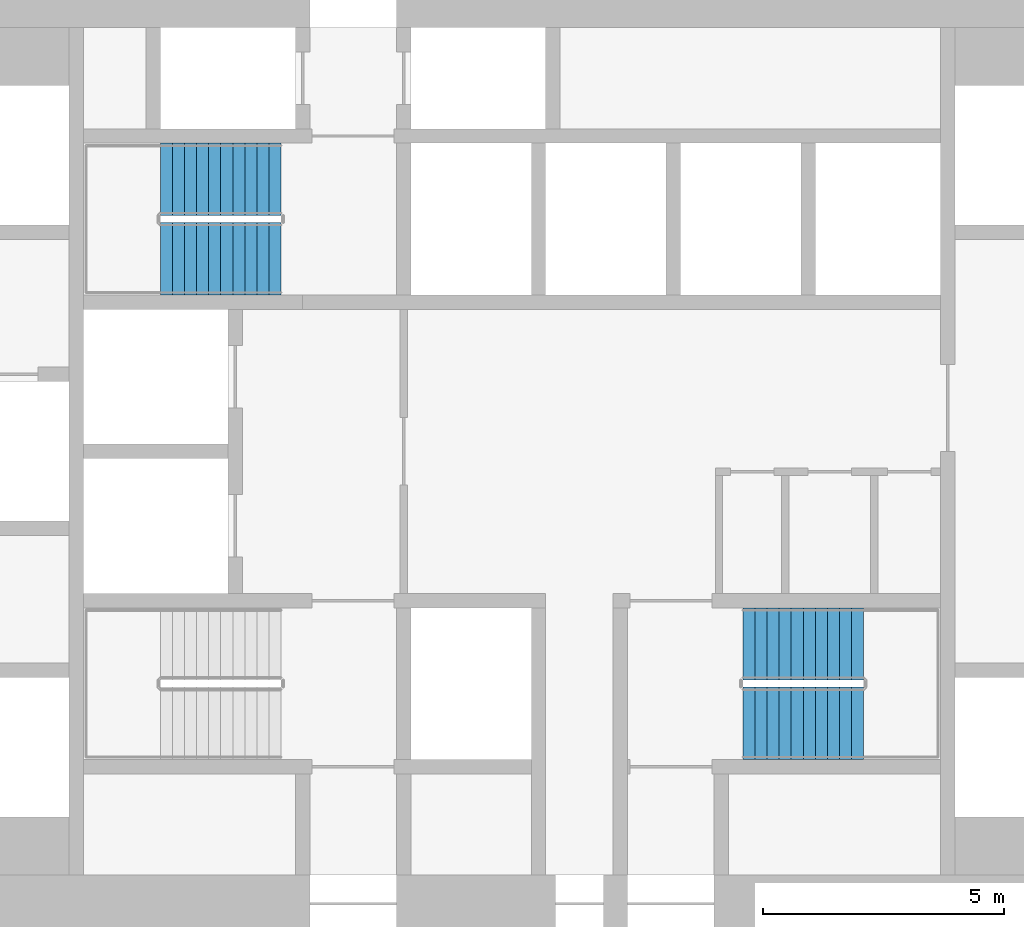
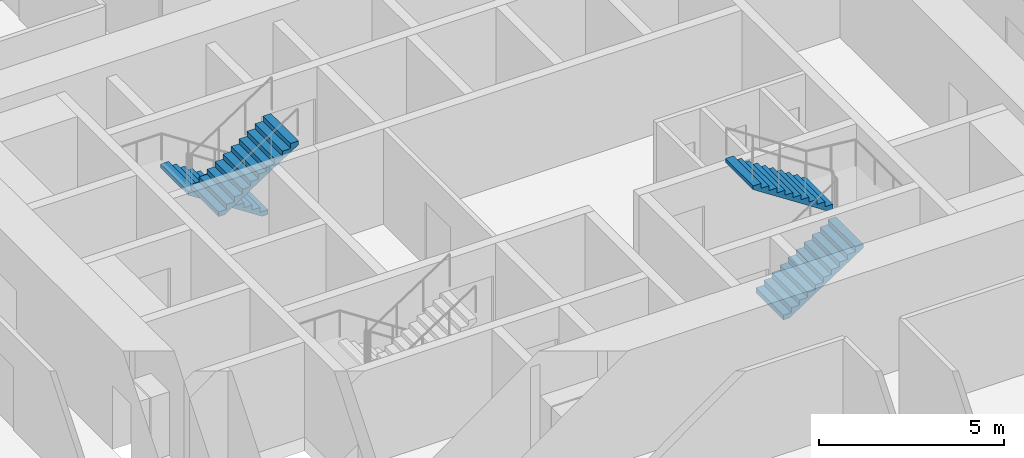
# One storey, part 11 of 12: 4 stair flights, 2 elements without a shape of their own.
"""IFC4 building model written with IfcOpenShell, lengths in metres."""

from ifc_helpers import new_model, si_unit, direction, frame, origin, place, context, subcontext, project, spatial, polyline, outline, extrude, material, type_object, element, aggregate, save


model = new_model("IFC4")

# Units and contexts
model_context = context("Model", 3, precision=1e-05, world=origin(), true_north=direction((0.0, 1.0)))
body_context = subcontext(model_context, "Body", "Model", "MODEL_VIEW")
ifc_project = project(units=[si_unit("LENGTHUNIT", "METRE"), si_unit("AREAUNIT", "SQUARE_METRE"), si_unit("VOLUMEUNIT", "CUBIC_METRE"), si_unit("PLANEANGLEUNIT", "RADIAN"), si_unit("MASSUNIT", "GRAM", prefix="KILO")], contexts=[model_context])

# Site, building, storey
site_placement = place(None, origin())
site = spatial("IfcSite", under=ifc_project, at=site_placement, CompositionType="ELEMENT")
building_placement = place(site_placement, origin())
building = spatial("IfcBuilding", under=site, at=building_placement, Name="Tracery Tower", CompositionType="ELEMENT")
storey_placement = place(building_placement, frame((0.0, 0.0, 85.800048828125)))
storey = spatial("IfcBuildingStorey", under=building, at=storey_placement, Name="L21", CompositionType="ELEMENT", Elevation=85.800048828125)

# Stair, stair flights
ifc_material_1 = material(Name="Concrete C32/40", Category="concrete")
stair_type = type_object("IfcStairType", Name="Core stair 22 risers", PredefinedType="HALF_TURN_STAIR", material=ifc_material_1)
stair_1_placement = place(storey_placement, origin())
stair_1 = element("IfcStair", 1, at=stair_1_placement, inside=storey, type_object=stair_type, Name="L21 stair ST3", PredefinedType="HALF_TURN_STAIR")
ifc_material_2 = material(Name="Concrete C32/40", Category="concrete")
stair_flight_type = type_object("IfcStairFlightType", Name="Core stair flight 11 risers", PredefinedType="STRAIGHT", material=ifc_material_2)
stair_flight_1_placement = place(storey_placement, frame((-4.800048828125, 5.64990234375, 0.0), z_axis=(0.0, 0.0, 1.0), x_axis=(-1.0, 0.0, 0.0)))
stair_flight_1 = element("IfcStairFlight", 2, at=stair_flight_1_placement, type_object=stair_flight_type, Name="ST3 flight 1", NumberOfRisers=11, NumberOfTreads=10, PredefinedType="STRAIGHT", RiserHeight=0.163636364, TreadLength=0.25, context=body_context, shape_type="SweptSolid", body=[
    extrude(outline(polyline([(0.0, 0.0), (0.0, 0.002685546875), (0.0, 0.00537109375), (0.0, 0.008056640625), (0.0, 0.0107421875), (0.0, 0.013427734375), (0.0, 0.01611328125), (0.0, 0.018798828125), (0.0, 0.021484375), (0.0, 0.024169921875), (0.0, 0.02685546875), (0.0, 0.029541015625), (0.0, 0.0322265625), (0.0, 0.034912109375), (0.0, 0.03759765625), (0.0, 0.040283203125), (0.0, 0.04296875), (0.0, 0.045654296875), (0.0, 0.04833984375), (0.0, 0.051025390625), (0.0, 0.0537109375), (0.0, 0.056396484375), (0.0, 0.05908203125), (0.0, 0.061767578125), (0.0, 0.064453125), (0.0, 0.067138671875), (0.0, 0.06982421875), (0.0, 0.072509765625), (0.0, 0.0751953125), (0.0, 0.077880859375), (0.0, 0.08056640625), (0.0, 0.083251953125), (0.0, 0.0859375), (0.0, 0.088623046875), (0.0, 0.09130859375), (0.0, 0.093994140625), (0.0, 0.0966796875), (0.0, 0.099365234375), (0.0, 0.10205078125), (0.0, 0.104736328125), (0.0, 0.107421875), (0.0, 0.10986328125), (0.0, 0.112548828125), (0.0, 0.115234375), (0.0, 0.117919921875), (0.0, 0.12060546875), (0.0, 0.123291015625), (0.0, 0.1259765625), (0.0, 0.128662109375), (0.0, 0.13134765625), (0.0, 0.134033203125), (0.0, 0.13671875), (0.0, 0.139404296875), (0.0, 0.14208984375), (0.0, 0.144775390625), (0.0, 0.1474609375), (0.0, 0.150146484375), (0.0, 0.15283203125), (0.0, 0.155517578125), (0.0, 0.158203125), (0.0, 0.160888671875), (0.0, 0.16357421875), (0.25, 0.16357421875), (0.25, 0.327392578125), (0.5, 0.327392578125), (0.5, 0.490966796875), (0.75, 0.490966796875), (0.75, 0.654541015625), (1.0, 0.654541015625), (1.0, 0.818115234375), (1.25, 0.818115234375), (1.25, 0.98193359375), (1.5, 0.98193359375), (1.5, 1.1455078125), (1.75, 1.1455078125), (1.75, 1.30908203125), (2.0, 1.30908203125), (2.0, 1.47265625), (2.25, 1.47265625), (2.25, 1.636474609375), (2.5, 1.636474609375), (2.5, 1.634521484375), (2.5, 1.63232421875), (2.5, 1.63037109375), (2.5, 1.62841796875), (2.5, 1.62646484375), (2.5, 1.62451171875), (2.5, 1.62255859375), (2.5, 1.62060546875), (2.5, 1.61865234375), (2.5, 1.61669921875), (2.5, 1.61474609375), (2.5, 1.61279296875), (2.5, 1.61083984375), (2.5, 1.60888671875), (2.5, 1.60693359375), (2.5, 1.60498046875), (2.5, 1.60302734375), (2.5, 1.60107421875), (2.5, 1.59912109375), (2.5, 1.59716796875), (2.5, 1.59521484375), (2.5, 1.59326171875), (2.5, 1.59130859375), (2.5, 1.58935546875), (2.5, 1.58740234375), (2.5, 1.58544921875), (2.5, 1.58349609375), (2.5, 1.58154296875), (2.5, 1.57958984375), (2.5, 1.57763671875), (2.5, 1.57568359375), (2.5, 1.573486328125), (2.5, 1.571533203125), (2.5, 1.569580078125), (2.5, 1.567626953125), (2.5, 1.565673828125), (2.5, 1.563720703125), (2.5, 1.561767578125), (2.5, 1.559814453125), (2.5, 1.557861328125), (2.5, 1.555908203125), (2.5, 1.553955078125), (2.5, 1.552001953125), (2.5, 1.550048828125), (2.5, 1.548095703125), (2.5, 1.546142578125), (2.5, 1.544189453125), (2.5, 1.542236328125), (2.5, 1.540283203125), (2.5, 1.538330078125), (2.5, 1.536376953125), (2.5, 1.534423828125), (2.5, 1.532470703125), (2.5, 1.530517578125), (2.5, 1.528564453125), (2.5, 1.526611328125), (2.5, 1.524658203125), (2.5, 1.522705078125), (2.5, 1.520751953125), (2.5, 1.518798828125), (2.5, 1.516845703125), (0.182861328125, 0.0), (0.0, 0.0)])), frame((0.0, 0.75, 0.0), z_axis=(0.0, -1.0, 0.0), x_axis=(1.0, 0.0, 0.0)), (0.0, 0.0, 1.0), 1.5),
])
stair_flight_2_placement = place(storey_placement, frame((-7.300048828125, 4.0, 1.800048828125), z_axis=(0.0, 0.0, 1.0), x_axis=(1.0, 0.0, 0.0)))
stair_flight_2 = element("IfcStairFlight", 3, at=stair_flight_2_placement, type_object=stair_flight_type, Name="ST3 flight 2", NumberOfRisers=11, NumberOfTreads=10, PredefinedType="STRAIGHT", RiserHeight=0.163636364, TreadLength=0.25, context=body_context, shape_type="SweptSolid", body=[
    extrude(outline(polyline([(0.0, 0.0), (0.0, 0.002685546875), (0.0, 0.00537109375), (0.0, 0.008056640625), (0.0, 0.0107421875), (0.0, 0.013427734375), (0.0, 0.01611328125), (0.0, 0.018798828125), (0.0, 0.021484375), (0.0, 0.024169921875), (0.0, 0.02685546875), (0.0, 0.029541015625), (0.0, 0.0322265625), (0.0, 0.034912109375), (0.0, 0.03759765625), (0.0, 0.040283203125), (0.0, 0.04296875), (0.0, 0.045654296875), (0.0, 0.04833984375), (0.0, 0.051025390625), (0.0, 0.0537109375), (0.0, 0.056396484375), (0.0, 0.05908203125), (0.0, 0.061767578125), (0.0, 0.064453125), (0.0, 0.067138671875), (0.0, 0.06982421875), (0.0, 0.072509765625), (0.0, 0.0751953125), (0.0, 0.077880859375), (0.0, 0.08056640625), (0.0, 0.083251953125), (0.0, 0.0859375), (0.0, 0.088623046875), (0.0, 0.09130859375), (0.0, 0.093994140625), (0.0, 0.0966796875), (0.0, 0.099365234375), (0.0, 0.10205078125), (0.0, 0.104736328125), (0.0, 0.107421875), (0.0, 0.10986328125), (0.0, 0.112548828125), (0.0, 0.115234375), (0.0, 0.117919921875), (0.0, 0.12060546875), (0.0, 0.123291015625), (0.0, 0.1259765625), (0.0, 0.128662109375), (0.0, 0.13134765625), (0.0, 0.134033203125), (0.0, 0.13671875), (0.0, 0.139404296875), (0.0, 0.14208984375), (0.0, 0.144775390625), (0.0, 0.1474609375), (0.0, 0.150146484375), (0.0, 0.15283203125), (0.0, 0.155517578125), (0.0, 0.158203125), (0.0, 0.160888671875), (0.0, 0.16357421875), (0.25, 0.16357421875), (0.25, 0.327392578125), (0.5, 0.327392578125), (0.5, 0.490966796875), (0.75, 0.490966796875), (0.75, 0.654541015625), (1.0, 0.654541015625), (1.0, 0.818115234375), (1.25, 0.818115234375), (1.25, 0.98193359375), (1.5, 0.98193359375), (1.5, 1.1455078125), (1.75, 1.1455078125), (1.75, 1.30908203125), (2.0, 1.30908203125), (2.0, 1.47265625), (2.25, 1.47265625), (2.25, 1.636474609375), (2.5, 1.636474609375), (2.5, 1.634521484375), (2.5, 1.63232421875), (2.5, 1.63037109375), (2.5, 1.62841796875), (2.5, 1.62646484375), (2.5, 1.62451171875), (2.5, 1.62255859375), (2.5, 1.62060546875), (2.5, 1.61865234375), (2.5, 1.61669921875), (2.5, 1.61474609375), (2.5, 1.61279296875), (2.5, 1.61083984375), (2.5, 1.60888671875), (2.5, 1.60693359375), (2.5, 1.60498046875), (2.5, 1.60302734375), (2.5, 1.60107421875), (2.5, 1.59912109375), (2.5, 1.59716796875), (2.5, 1.59521484375), (2.5, 1.59326171875), (2.5, 1.59130859375), (2.5, 1.58935546875), (2.5, 1.58740234375), (2.5, 1.58544921875), (2.5, 1.58349609375), (2.5, 1.58154296875), (2.5, 1.57958984375), (2.5, 1.57763671875), (2.5, 1.57568359375), (2.5, 1.573486328125), (2.5, 1.571533203125), (2.5, 1.569580078125), (2.5, 1.567626953125), (2.5, 1.565673828125), (2.5, 1.563720703125), (2.5, 1.561767578125), (2.5, 1.559814453125), (2.5, 1.557861328125), (2.5, 1.555908203125), (2.5, 1.553955078125), (2.5, 1.552001953125), (2.5, 1.550048828125), (2.5, 1.548095703125), (2.5, 1.546142578125), (2.5, 1.544189453125), (2.5, 1.542236328125), (2.5, 1.540283203125), (2.5, 1.538330078125), (2.5, 1.536376953125), (2.5, 1.534423828125), (2.5, 1.532470703125), (2.5, 1.530517578125), (2.5, 1.528564453125), (2.5, 1.526611328125), (2.5, 1.524658203125), (2.5, 1.522705078125), (2.5, 1.520751953125), (2.5, 1.518798828125), (2.5, 1.516845703125), (0.182861328125, 0.0), (0.0, 0.0)])), frame((0.0, 0.75, 0.0), z_axis=(0.0, -1.0, 0.0), x_axis=(1.0, 0.0, 0.0)), (0.0, 0.0, 1.0), 1.5),
])
aggregate(stair_1, [stair_flight_1, stair_flight_2])

stair_2_placement = place(storey_placement, origin())
stair_2 = element("IfcStair", 4, at=stair_2_placement, inside=storey, type_object=stair_type, Name="L21 stair ST2", PredefinedType="HALF_TURN_STAIR")
stair_flight_3_placement = place(storey_placement, frame((4.800048828125, -5.64990234375, 0.0), z_axis=(0.0, 0.0, 1.0), x_axis=(1.0, 0.0, 0.0)))
stair_flight_3 = element("IfcStairFlight", 5, at=stair_flight_3_placement, type_object=stair_flight_type, Name="ST2 flight 1", NumberOfRisers=11, NumberOfTreads=10, PredefinedType="STRAIGHT", RiserHeight=0.163636364, TreadLength=0.25, context=body_context, shape_type="SweptSolid", body=[
    extrude(outline(polyline([(0.0, 0.0), (0.0, 0.002685546875), (0.0, 0.00537109375), (0.0, 0.008056640625), (0.0, 0.0107421875), (0.0, 0.013427734375), (0.0, 0.01611328125), (0.0, 0.018798828125), (0.0, 0.021484375), (0.0, 0.024169921875), (0.0, 0.02685546875), (0.0, 0.029541015625), (0.0, 0.0322265625), (0.0, 0.034912109375), (0.0, 0.03759765625), (0.0, 0.040283203125), (0.0, 0.04296875), (0.0, 0.045654296875), (0.0, 0.04833984375), (0.0, 0.051025390625), (0.0, 0.0537109375), (0.0, 0.056396484375), (0.0, 0.05908203125), (0.0, 0.061767578125), (0.0, 0.064453125), (0.0, 0.067138671875), (0.0, 0.06982421875), (0.0, 0.072509765625), (0.0, 0.0751953125), (0.0, 0.077880859375), (0.0, 0.08056640625), (0.0, 0.083251953125), (0.0, 0.0859375), (0.0, 0.088623046875), (0.0, 0.09130859375), (0.0, 0.093994140625), (0.0, 0.0966796875), (0.0, 0.099365234375), (0.0, 0.10205078125), (0.0, 0.104736328125), (0.0, 0.107421875), (0.0, 0.10986328125), (0.0, 0.112548828125), (0.0, 0.115234375), (0.0, 0.117919921875), (0.0, 0.12060546875), (0.0, 0.123291015625), (0.0, 0.1259765625), (0.0, 0.128662109375), (0.0, 0.13134765625), (0.0, 0.134033203125), (0.0, 0.13671875), (0.0, 0.139404296875), (0.0, 0.14208984375), (0.0, 0.144775390625), (0.0, 0.1474609375), (0.0, 0.150146484375), (0.0, 0.15283203125), (0.0, 0.155517578125), (0.0, 0.158203125), (0.0, 0.160888671875), (0.0, 0.16357421875), (0.25, 0.16357421875), (0.25, 0.327392578125), (0.5, 0.327392578125), (0.5, 0.490966796875), (0.75, 0.490966796875), (0.75, 0.654541015625), (1.0, 0.654541015625), (1.0, 0.818115234375), (1.25, 0.818115234375), (1.25, 0.98193359375), (1.5, 0.98193359375), (1.5, 1.1455078125), (1.75, 1.1455078125), (1.75, 1.30908203125), (2.0, 1.30908203125), (2.0, 1.47265625), (2.25, 1.47265625), (2.25, 1.636474609375), (2.5, 1.636474609375), (2.5, 1.634521484375), (2.5, 1.63232421875), (2.5, 1.63037109375), (2.5, 1.62841796875), (2.5, 1.62646484375), (2.5, 1.62451171875), (2.5, 1.62255859375), (2.5, 1.62060546875), (2.5, 1.61865234375), (2.5, 1.61669921875), (2.5, 1.61474609375), (2.5, 1.61279296875), (2.5, 1.61083984375), (2.5, 1.60888671875), (2.5, 1.60693359375), (2.5, 1.60498046875), (2.5, 1.60302734375), (2.5, 1.60107421875), (2.5, 1.59912109375), (2.5, 1.59716796875), (2.5, 1.59521484375), (2.5, 1.59326171875), (2.5, 1.59130859375), (2.5, 1.58935546875), (2.5, 1.58740234375), (2.5, 1.58544921875), (2.5, 1.58349609375), (2.5, 1.58154296875), (2.5, 1.57958984375), (2.5, 1.57763671875), (2.5, 1.57568359375), (2.5, 1.573486328125), (2.5, 1.571533203125), (2.5, 1.569580078125), (2.5, 1.567626953125), (2.5, 1.565673828125), (2.5, 1.563720703125), (2.5, 1.561767578125), (2.5, 1.559814453125), (2.5, 1.557861328125), (2.5, 1.555908203125), (2.5, 1.553955078125), (2.5, 1.552001953125), (2.5, 1.550048828125), (2.5, 1.548095703125), (2.5, 1.546142578125), (2.5, 1.544189453125), (2.5, 1.542236328125), (2.5, 1.540283203125), (2.5, 1.538330078125), (2.5, 1.536376953125), (2.5, 1.534423828125), (2.5, 1.532470703125), (2.5, 1.530517578125), (2.5, 1.528564453125), (2.5, 1.526611328125), (2.5, 1.524658203125), (2.5, 1.522705078125), (2.5, 1.520751953125), (2.5, 1.518798828125), (2.5, 1.516845703125), (0.182861328125, 0.0), (0.0, 0.0)])), frame((0.0, 0.75, 0.0), z_axis=(0.0, -1.0, 0.0), x_axis=(1.0, 0.0, 0.0)), (0.0, 0.0, 1.0), 1.5),
])
stair_flight_4_placement = place(storey_placement, frame((7.300048828125, -4.0, 1.800048828125), z_axis=(0.0, 0.0, 1.0), x_axis=(-1.0, 0.0, 0.0)))
stair_flight_4 = element("IfcStairFlight", 6, at=stair_flight_4_placement, type_object=stair_flight_type, Name="ST2 flight 2", NumberOfRisers=11, NumberOfTreads=10, PredefinedType="STRAIGHT", RiserHeight=0.163636364, TreadLength=0.25, context=body_context, shape_type="SweptSolid", body=[
    extrude(outline(polyline([(0.0, 0.0), (0.0, 0.002685546875), (0.0, 0.00537109375), (0.0, 0.008056640625), (0.0, 0.0107421875), (0.0, 0.013427734375), (0.0, 0.01611328125), (0.0, 0.018798828125), (0.0, 0.021484375), (0.0, 0.024169921875), (0.0, 0.02685546875), (0.0, 0.029541015625), (0.0, 0.0322265625), (0.0, 0.034912109375), (0.0, 0.03759765625), (0.0, 0.040283203125), (0.0, 0.04296875), (0.0, 0.045654296875), (0.0, 0.04833984375), (0.0, 0.051025390625), (0.0, 0.0537109375), (0.0, 0.056396484375), (0.0, 0.05908203125), (0.0, 0.061767578125), (0.0, 0.064453125), (0.0, 0.067138671875), (0.0, 0.06982421875), (0.0, 0.072509765625), (0.0, 0.0751953125), (0.0, 0.077880859375), (0.0, 0.08056640625), (0.0, 0.083251953125), (0.0, 0.0859375), (0.0, 0.088623046875), (0.0, 0.09130859375), (0.0, 0.093994140625), (0.0, 0.0966796875), (0.0, 0.099365234375), (0.0, 0.10205078125), (0.0, 0.104736328125), (0.0, 0.107421875), (0.0, 0.10986328125), (0.0, 0.112548828125), (0.0, 0.115234375), (0.0, 0.117919921875), (0.0, 0.12060546875), (0.0, 0.123291015625), (0.0, 0.1259765625), (0.0, 0.128662109375), (0.0, 0.13134765625), (0.0, 0.134033203125), (0.0, 0.13671875), (0.0, 0.139404296875), (0.0, 0.14208984375), (0.0, 0.144775390625), (0.0, 0.1474609375), (0.0, 0.150146484375), (0.0, 0.15283203125), (0.0, 0.155517578125), (0.0, 0.158203125), (0.0, 0.160888671875), (0.0, 0.16357421875), (0.25, 0.16357421875), (0.25, 0.327392578125), (0.5, 0.327392578125), (0.5, 0.490966796875), (0.75, 0.490966796875), (0.75, 0.654541015625), (1.0, 0.654541015625), (1.0, 0.818115234375), (1.25, 0.818115234375), (1.25, 0.98193359375), (1.5, 0.98193359375), (1.5, 1.1455078125), (1.75, 1.1455078125), (1.75, 1.30908203125), (2.0, 1.30908203125), (2.0, 1.47265625), (2.25, 1.47265625), (2.25, 1.636474609375), (2.5, 1.636474609375), (2.5, 1.634521484375), (2.5, 1.63232421875), (2.5, 1.63037109375), (2.5, 1.62841796875), (2.5, 1.62646484375), (2.5, 1.62451171875), (2.5, 1.62255859375), (2.5, 1.62060546875), (2.5, 1.61865234375), (2.5, 1.61669921875), (2.5, 1.61474609375), (2.5, 1.61279296875), (2.5, 1.61083984375), (2.5, 1.60888671875), (2.5, 1.60693359375), (2.5, 1.60498046875), (2.5, 1.60302734375), (2.5, 1.60107421875), (2.5, 1.59912109375), (2.5, 1.59716796875), (2.5, 1.59521484375), (2.5, 1.59326171875), (2.5, 1.59130859375), (2.5, 1.58935546875), (2.5, 1.58740234375), (2.5, 1.58544921875), (2.5, 1.58349609375), (2.5, 1.58154296875), (2.5, 1.57958984375), (2.5, 1.57763671875), (2.5, 1.57568359375), (2.5, 1.573486328125), (2.5, 1.571533203125), (2.5, 1.569580078125), (2.5, 1.567626953125), (2.5, 1.565673828125), (2.5, 1.563720703125), (2.5, 1.561767578125), (2.5, 1.559814453125), (2.5, 1.557861328125), (2.5, 1.555908203125), (2.5, 1.553955078125), (2.5, 1.552001953125), (2.5, 1.550048828125), (2.5, 1.548095703125), (2.5, 1.546142578125), (2.5, 1.544189453125), (2.5, 1.542236328125), (2.5, 1.540283203125), (2.5, 1.538330078125), (2.5, 1.536376953125), (2.5, 1.534423828125), (2.5, 1.532470703125), (2.5, 1.530517578125), (2.5, 1.528564453125), (2.5, 1.526611328125), (2.5, 1.524658203125), (2.5, 1.522705078125), (2.5, 1.520751953125), (2.5, 1.518798828125), (2.5, 1.516845703125), (0.182861328125, 0.0), (0.0, 0.0)])), frame((0.0, 0.75, 0.0), z_axis=(0.0, -1.0, 0.0), x_axis=(1.0, 0.0, 0.0)), (0.0, 0.0, 1.0), 1.5),
])
aggregate(stair_2, [stair_flight_3, stair_flight_4])

save(model, "model.ifc")
